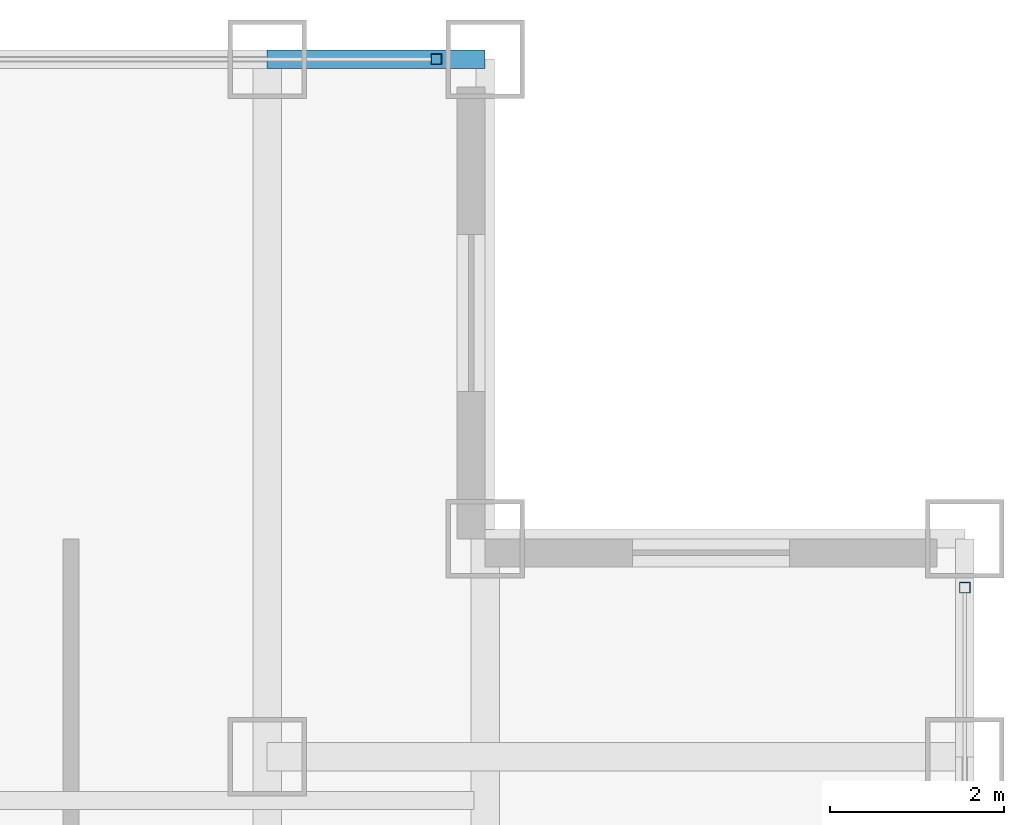
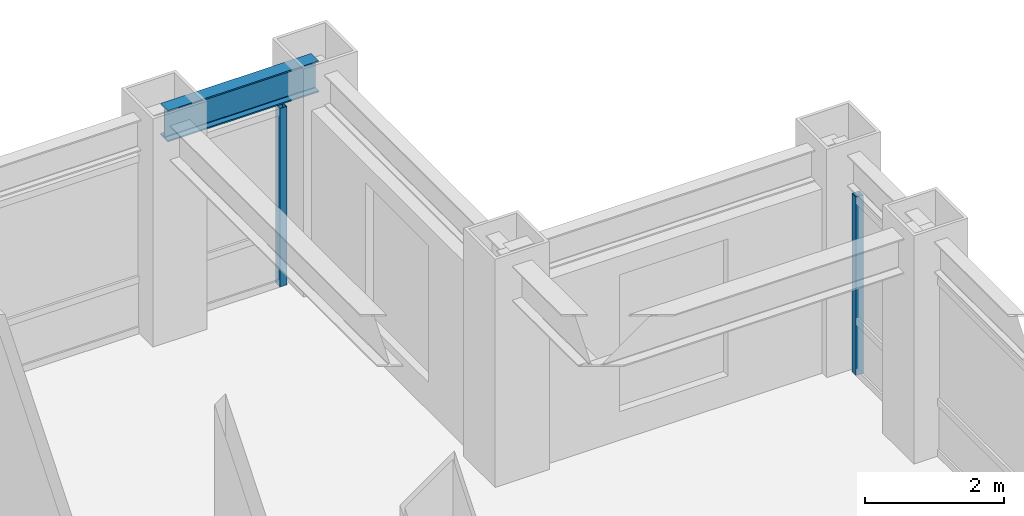
# One storey, part 16 of 22: 2 members, 1 beam, 2 elements without a shape of their own.
"""IFC4 building model written with IfcOpenShell, lengths in metres."""

from ifc_helpers import new_model, si_unit, direction, frame, origin, origin_2d, place, context, subcontext, project, spatial, hollow_rectangle, i_section, extrude, source, transform, mapped, material, material_profile, profile_set, type_object, element, aggregate, save


model = new_model("IFC4")

# Units and contexts
model_context = context("Model", 3, precision=1e-05, world=origin(), true_north=direction((0.0, 1.0)))
body_context = subcontext(model_context, "Body", "Model", "MODEL_VIEW")
ifc_project = project(units=[si_unit("LENGTHUNIT", "METRE"), si_unit("AREAUNIT", "SQUARE_METRE"), si_unit("VOLUMEUNIT", "CUBIC_METRE"), si_unit("PLANEANGLEUNIT", "RADIAN"), si_unit("MASSUNIT", "GRAM", prefix="KILO")], contexts=[model_context])

# Site, building, storey
site_placement = place(None, origin())
site = spatial("IfcSite", under=ifc_project, at=site_placement, CompositionType="ELEMENT")
building_placement = place(site_placement, origin())
building = spatial("IfcBuilding", under=site, at=building_placement, Name="Khorayat Bourse Tower", CompositionType="ELEMENT")
storey_placement = place(building_placement, frame((0.0, 0.0, 301.5)))
storey = spatial("IfcBuildingStorey", under=building, at=storey_placement, Name="L71", CompositionType="ELEMENT", Elevation=301.5)

# Beam
ifc_material_1 = material(Name="Steel ASTM A992 Grade 50", Category="steel")
ifc_material_profile_1 = material_profile(ifc_material_1, i_section(OverallWidth=0.214111328125, OverallDepth=0.549072265625, WebThickness=0.0146484375, FlangeThickness=0.023681640625, FilletRadius=0.013916015625, at=origin_2d()), Name="W530X138")
ifc_profile_set_1 = profile_set([ifc_material_profile_1], Name="Steel ASTM A992 Grade 50")
beam_type = type_object("IfcBeamType", Name="BM-SPAN-530", PredefinedType="SPANDREL", material=ifc_profile_set_1)
shared_shape_1 = source(origin(), body_context, "Body", "SweptSolid", [
    extrude(i_section(OverallWidth=0.214111328125, OverallDepth=0.549072265625, WebThickness=0.0146484375, FlangeThickness=0.023681640625, FilletRadius=0.013916015625, at=origin_2d()), origin(), (0.0, 0.0, 1.0), 2.5),
])
beam_placement = place(storey_placement, frame((20.0, 28.0, 3.505615234375), z_axis=(1.0, 0.0, 0.0), x_axis=(0.0, 1.0, 0.0)))
element("IfcBeam", 1, at=beam_placement, inside=storey, type_object=beam_type, Name="L71 BM-SPAN-530 BM-L71-SPN-044", PredefinedType="SPANDREL", context=body_context, shape_type="MappedRepresentation", body=[
    mapped(shared_shape_1, transform((0.0, 0.0, 0.0), scale=1.0)),
])

# Curtain wall, member
ifc_material_2 = material(Name="Aluminium EN AW-6063 T6", Category="aluminium")
curtain_wall_type = type_object("IfcCurtainWallType", Name="CW-SYS-04", PredefinedType="NOTDEFINED", material=ifc_material_2)
curtain_wall_1_placement = place(storey_placement, origin())
curtain_wall_1 = element("IfcCurtainWall", 2, at=curtain_wall_1_placement, inside=storey, type_object=curtain_wall_type, Name="L71 Curtain Wall CW-L71-N1", PredefinedType="NOTDEFINED")
ifc_material_profile_2 = material_profile(ifc_material_2, hollow_rectangle(XDim=0.1201171875, YDim=0.1201171875, WallThickness=0.0048828125, at=origin_2d()), Name="ALU 120x120x5")
ifc_profile_set_2 = profile_set([ifc_material_profile_2], Name="Aluminium EN AW-6063 T6")
member_type = type_object("IfcMemberType", Name="CWM-VERT-120", PredefinedType="MULLION", material=ifc_profile_set_2)
shared_shape_2 = source(origin(), body_context, "Body", "SweptSolid", [
    extrude(hollow_rectangle(XDim=0.1201171875, YDim=0.1201171875, WallThickness=0.0048828125, at=origin_2d()), origin(), (0.0, 0.0, 1.0), 3.1298828125),
])
member_1_placement = place(storey_placement, frame((21.93994140625, 28.0, 0.0), z_axis=(0.0, 0.0, 1.0), x_axis=(0.0, 1.0, 0.0)))
member_1 = element("IfcMember", 3, at=member_1_placement, type_object=member_type, Name="CW-L71-N1 Vertical Mullion 3", PredefinedType="MULLION", context=body_context, shape_type="MappedRepresentation", body=[
    mapped(shared_shape_2, transform((0.0, 0.0, 0.0), scale=1.0)),
])
aggregate(curtain_wall_1, [member_1])

curtain_wall_2_placement = place(storey_placement, origin())
curtain_wall_2 = element("IfcCurtainWall", 4, at=curtain_wall_2_placement, inside=storey, type_object=curtain_wall_type, Name="L71 Curtain Wall CW-L71-E1", PredefinedType="NOTDEFINED")
member_2_placement = place(storey_placement, frame((28.0, 21.93994140625, 0.0), z_axis=(0.0, 0.0, 1.0), x_axis=(-1.0, 0.0, 0.0)))
member_2 = element("IfcMember", 5, at=member_2_placement, type_object=member_type, Name="CW-L71-E1 Vertical Mullion 3", PredefinedType="MULLION", context=body_context, shape_type="MappedRepresentation", body=[
    mapped(shared_shape_2, transform((0.0, 0.0, 0.0), scale=1.0)),
])
aggregate(curtain_wall_2, [member_2])

save(model, "model.ifc")
